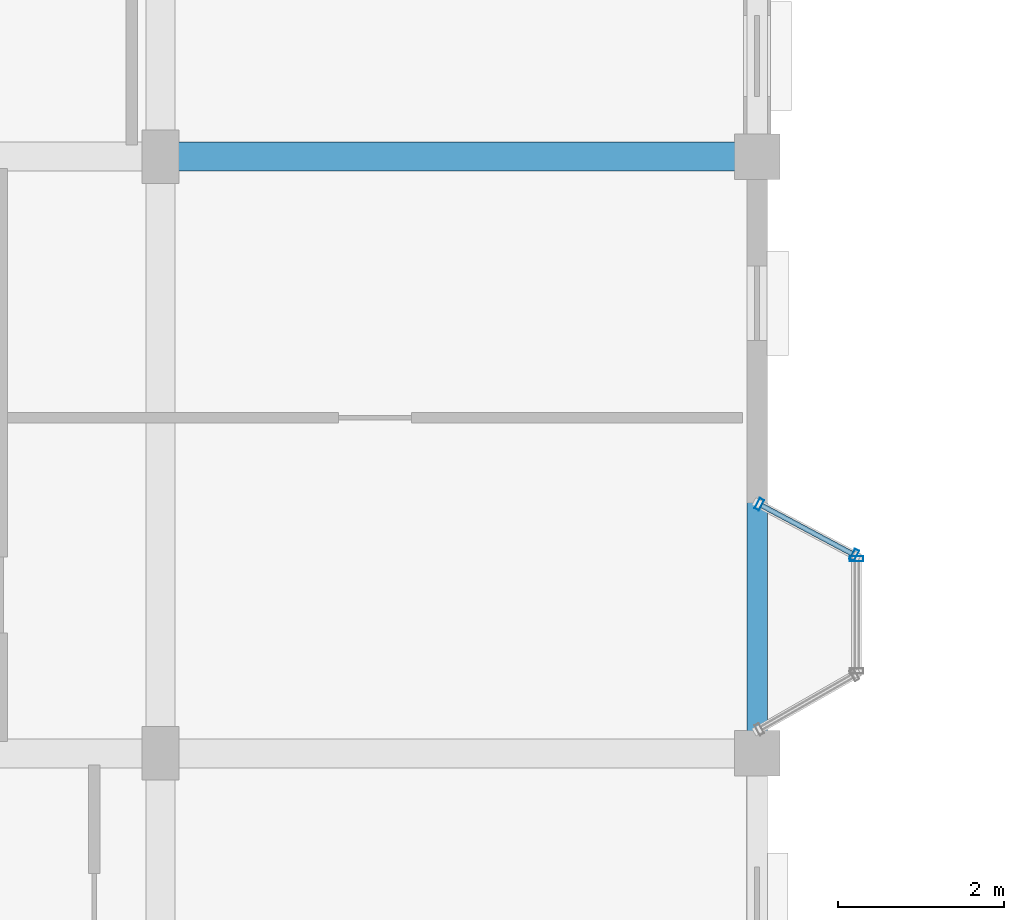
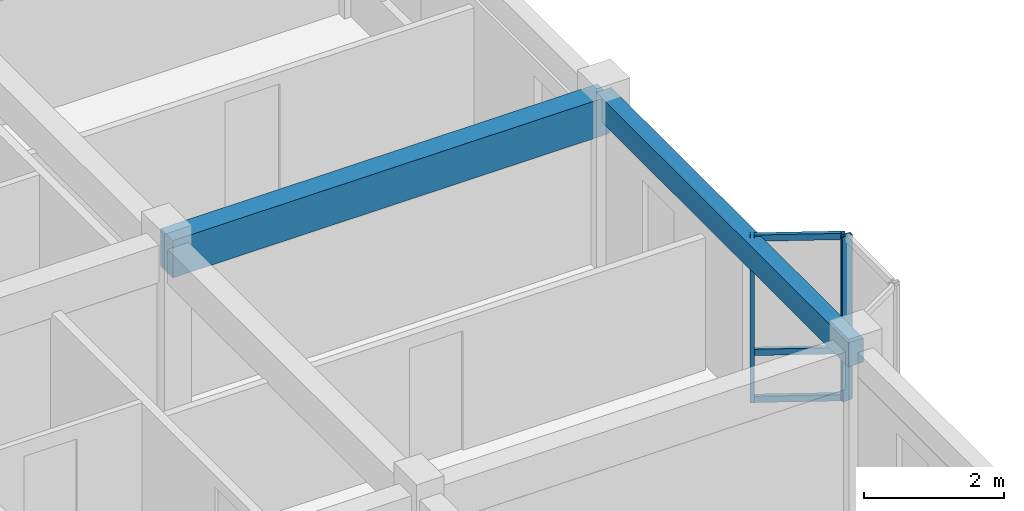
# One storey, part 11 of 79: 6 members, 2 beams, 2 elements without a shape of their own.
"""IFC4 building model written with IfcOpenShell, lengths in metres."""

import ifcopenshell
import ifcopenshell.guid

model = None  # the IFC model being written
_history = None  # IfcOwnerHistory: only IFC2X3 demands one
_inside = {}  # id of a spatial element -> (the spatial element, [elements in it])
_under = {}  # id of a project, library or spatial element -> (it, [spatial elements below it])
_declared = {}  # id of a project -> (the project, [libraries it declares])
_typed = {}  # id of a type object -> (the type object, [elements of that type])
_made_of = {}  # id of a material, layer set ... -> (it, [elements and type objects made of it])


def new_model(schema):
    """Start an empty IFC model of exactly this schema.

    Asked for "IFC4X3", IfcOpenShell would pick the latest addendum, in which some entities
    have other attributes; the version numbers below select the first issue.
    IFC2X3 requires an IfcOwnerHistory on every rooted entity: one is made here for all.
    """
    global model, _history
    if schema == "IFC4X3":
        model = ifcopenshell.file(schema_version=(4, 3, 0, 0))
    else:
        model = ifcopenshell.file(schema=schema)
    _inside.clear()
    _under.clear()
    _declared.clear()
    _typed.clear()
    _made_of.clear()
    _history = None
    if model.schema == "IFC2X3":
        org = make("IfcOrganization", Name="unknown")
        user = make(
            "IfcPersonAndOrganization",
            ThePerson=make("IfcPerson", FamilyName="unknown"),
            TheOrganization=org,
        )
        app = make(
            "IfcApplication",
            ApplicationDeveloper=org,
            Version="unknown",
            ApplicationFullName="unknown",
            ApplicationIdentifier="unknown",
        )
        _history = make(
            "IfcOwnerHistory",
            OwningUser=user,
            OwningApplication=app,
            ChangeAction="ADDED",
            CreationDate=0,
        )
    return model


def make(cls, **values):
    """One entity of the class cls with the attributes given. An attribute that is None is left unset."""
    return model.create_entity(
        cls, **{name: value for name, value in values.items() if value is not None}
    )


def rooted(cls, **values):
    """An entity with a GlobalId (a new one), such as an element, a storey or a relation."""
    return make(cls, GlobalId=ifcopenshell.guid.new(), OwnerHistory=_history, **values)


def si_unit(unit_type, name, prefix=None):
    """IfcSIUnit, for example si_unit("LENGTHUNIT", "METRE", prefix="MILLI")."""
    return make("IfcSIUnit", UnitType=unit_type, Prefix=prefix, Name=name)


def assignment(units):
    """IfcUnitAssignment: the units of a project."""
    return None if units is None else make("IfcUnitAssignment", Units=units)


def point(xyz):
    """IfcCartesianPoint."""
    return None if xyz is None else make("IfcCartesianPoint", Coordinates=xyz)


def direction(xyz):
    """IfcDirection."""
    return None if xyz is None else make("IfcDirection", DirectionRatios=xyz)


def frame(location, z_axis=None, x_axis=None):
    """IfcAxis2Placement3D, a coordinate frame: its origin and axes. An axis left out is left unset."""
    return make(
        "IfcAxis2Placement3D",
        Location=point(location),
        Axis=direction(z_axis),
        RefDirection=direction(x_axis),
    )


def frame_2d(location, x_axis=None):
    """IfcAxis2Placement2D, a coordinate frame in the plane: its origin and x axis."""
    return make(
        "IfcAxis2Placement2D", Location=point(location), RefDirection=direction(x_axis)
    )


def origin():
    """The frame at (0, 0, 0) with its axes left unset."""
    return frame((0.0, 0.0, 0.0))


def origin_2d():
    """The frame at (0, 0) in the plane with its x axis left unset."""
    return frame_2d((0.0, 0.0))


def place(relative_to, where):
    """IfcLocalPlacement: puts the frame where relative to a parent placement (None: the world)."""
    return make(
        "IfcLocalPlacement", PlacementRelTo=relative_to, RelativePlacement=where
    )


def context(
    kind, dimensions, precision=None, world=None, true_north=None, identifier=None
):
    """IfcGeometricRepresentationContext, for example the 3D "Model" context."""
    return make(
        "IfcGeometricRepresentationContext",
        ContextIdentifier=identifier,
        ContextType=kind,
        CoordinateSpaceDimension=dimensions,
        Precision=precision,
        WorldCoordinateSystem=world,
        TrueNorth=true_north,
    )


def subcontext(parent, identifier, kind, view, scale=None):
    """IfcGeometricRepresentationSubContext, for example "Body" below "Model"."""
    return make(
        "IfcGeometricRepresentationSubContext",
        ContextIdentifier=identifier,
        ContextType=kind,
        ParentContext=parent,
        TargetScale=scale,
        TargetView=view,
    )


def project(units=None, contexts=None):
    """IfcProject with its units and contexts."""
    return rooted(
        "IfcProject",
        Name="project",
        RepresentationContexts=contexts,
        UnitsInContext=assignment(units),
    )


def spatial(cls, under=None, at=None, **own):
    """A site, building, storey or space (cls), placed at a placement, below another one or the project."""
    s = rooted(cls, ObjectPlacement=at, **own)
    if under is not None:
        _under.setdefault(under.id(), (under, []))[1].append(s)
    return s


def profile(cls, at=None, kind="AREA", **sizes):
    """A parametric profile (cls). Its sizes go by their IFC names, for example OverallWidth=200.0."""
    return make(cls, ProfileType=kind, Position=at, **sizes)


def rectangle(**sizes):
    """IfcRectangleProfileDef."""
    return profile("IfcRectangleProfileDef", **sizes)


def hollow_rectangle(**sizes):
    """IfcRectangleHollowProfileDef."""
    return profile("IfcRectangleHollowProfileDef", **sizes)


def extrude(swept, where, along, depth):
    """IfcExtrudedAreaSolid: the profile swept, set in the frame where, extruded along a direction by depth."""
    return make(
        "IfcExtrudedAreaSolid",
        SweptArea=swept,
        Position=where,
        ExtrudedDirection=direction(along),
        Depth=depth,
    )


def shape(context_of_items, identifier, shape_type, items):
    """IfcShapeRepresentation: the items that make up one representation, for example the "Body"."""
    return make(
        "IfcShapeRepresentation",
        ContextOfItems=context_of_items,
        RepresentationIdentifier=identifier,
        RepresentationType=shape_type,
        Items=items,
    )


def material(Name=None, Category=None):
    """IfcMaterial."""
    return make("IfcMaterial", Name=Name, Category=Category)


def layer(
    of_material, thickness, ventilated=None, Name=None, Category=None, Priority=None
):
    """IfcMaterialLayer: one layer of a wall or slab, of a material (None: an air gap)."""
    return make(
        "IfcMaterialLayer",
        Material=of_material,
        LayerThickness=thickness,
        IsVentilated=ventilated,
        Name=Name,
        Category=Category,
        Priority=Priority,
    )


def layer_set(layers, Name=None):
    """IfcMaterialLayerSet."""
    return make("IfcMaterialLayerSet", MaterialLayers=layers, LayerSetName=Name)


def material_profile(
    of_material, cross_section, Name=None, Category=None, Priority=None
):
    """IfcMaterialProfile: a cross section and its material."""
    return make(
        "IfcMaterialProfile",
        Name=Name,
        Material=of_material,
        Profile=cross_section,
        Priority=Priority,
        Category=Category,
    )


def profile_set(profiles, Name=None, composite=None):
    """IfcMaterialProfileSet."""
    return make(
        "IfcMaterialProfileSet",
        Name=Name,
        MaterialProfiles=profiles,
        CompositeProfile=composite,
    )


def made_of(thing, what):
    """Note that an element or type object is made of a material, layer set ...; save() writes the relation."""
    if what is not None:
        _made_of.setdefault(what.id(), (what, []))[1].append(thing)
    return thing


def type_object(cls, material=None, **own):
    """A type object (cls), such as IfcWallType, which elements share."""
    return made_of(rooted(cls, **own), material)


def element(
    cls,
    number,
    at=None,
    inside=None,
    cuts=None,
    type_object=None,
    material=None,
    context=None,
    identifier="Body",
    shape_type=None,
    held_by="IfcProductDefinitionShape",
    body=None,
    shapes=None,
    **own,
):
    """One element of the class cls, such as IfcWall. Its Tag is "e" and its number.

    at: its placement. inside: the storey or other place that contains it. cuts: it is an
    opening in that element (IfcRelVoidsElement). A single representation is given by context,
    identifier, shape_type and body (its items); several are given by shapes. held_by: the class
    of the entity that holds the representations. save() writes the other relations.
    """
    e = rooted(cls, Tag="e%d" % number, ObjectPlacement=at, **own)
    if body is not None:
        shapes = [shape(context, identifier, shape_type, body)]
    if shapes is not None:
        e.Representation = make(held_by, Representations=shapes)
    if inside is not None:
        _inside.setdefault(inside.id(), (inside, []))[1].append(e)
    if cuts is not None:
        rooted(
            "IfcRelVoidsElement", RelatingBuildingElement=cuts, RelatedOpeningElement=e
        )
    if type_object is not None:
        _typed.setdefault(type_object.id(), (type_object, []))[1].append(e)
    return made_of(e, material)


def aggregate(whole, parts):
    """IfcRelAggregates: a whole, such as a stair, and the parts it consists of."""
    return rooted("IfcRelAggregates", RelatingObject=whole, RelatedObjects=parts)


def save(model, path):
    """Write the relations noted so far, then the file.

    IfcRelAggregates (storeys below a building ...), IfcRelContainedInSpatialStructure (elements
    in a storey), IfcRelDefinesByType, IfcRelAssociatesMaterial and IfcRelDeclares: one each for
    every whole, place, type object, material and project.
    """
    for whole, parts in _under.values():
        aggregate(whole, parts)
    for where, things in _inside.values():
        rooted(
            "IfcRelContainedInSpatialStructure",
            RelatedElements=things,
            RelatingStructure=where,
        )
    for kind, things in _typed.values():
        rooted("IfcRelDefinesByType", RelatedObjects=things, RelatingType=kind)
    for what, things in _made_of.values():
        rooted("IfcRelAssociatesMaterial", RelatedObjects=things, RelatingMaterial=what)
    for by, libraries in _declared.values():
        rooted("IfcRelDeclares", RelatingContext=by, RelatedDefinitions=libraries)
    model.write(path)


model = new_model("IFC4")

# Units and contexts
model_context = context("Model", 3, precision=1e-05, world=origin(), true_north=direction((0.0, 1.0)))
body_context = subcontext(model_context, "Body", "Model", "MODEL_VIEW")
ifc_project = project(units=[si_unit("LENGTHUNIT", "METRE"), si_unit("AREAUNIT", "SQUARE_METRE"), si_unit("VOLUMEUNIT", "CUBIC_METRE"), si_unit("PLANEANGLEUNIT", "RADIAN"), si_unit("MASSUNIT", "GRAM", prefix="KILO"), si_unit("THERMODYNAMICTEMPERATUREUNIT", "KELVIN"), si_unit("POWERUNIT", "WATT")], contexts=[model_context])

# Site, building, storey
site_placement = place(None, origin())
site = spatial("IfcSite", under=ifc_project, at=site_placement, CompositionType="ELEMENT")
building_placement = place(site_placement, origin())
building = spatial("IfcBuilding", under=site, at=building_placement, Name="Tavuni Mirador Residences", CompositionType="ELEMENT")
storey_placement = place(building_placement, frame((0.0, 0.0, 13.949951171875)))
storey = spatial("IfcBuildingStorey", under=building, at=storey_placement, Name="L04", CompositionType="ELEMENT", Elevation=13.949951171875)

# Beams
ifc_material_1 = material(Name="Precast concrete C40/50", Category="concrete")
ifc_material_profile_1 = material_profile(ifc_material_1, rectangle(XDim=0.35009765625, YDim=0.64990234375, at=origin_2d()), Name="PC 350x650", Category="concrete")
ifc_profile_set_1 = profile_set([ifc_material_profile_1], Name="Precast concrete C40/50")
beam_type_1 = type_object("IfcBeamType", Name="BT-B650", PredefinedType="BEAM", material=ifc_profile_set_1)
beam_1_placement = place(storey_placement, frame((25.199951171875, 28.800048828125, 2.545166015625), z_axis=(1.0, 0.0, 0.0), x_axis=(0.0, 1.0, 0.0)))
element("IfcBeam", 1, at=beam_1_placement, inside=storey, type_object=beam_type_1, Name="BMX-BLK-A-L04-03-03", PredefinedType="BEAM", context=body_context, shape_type="SweptSolid", body=[
    extrude(rectangle(XDim=0.35009765625, YDim=0.64990234375, at=origin_2d()), origin(), (0.0, 0.0, 1.0), 7.199951171875),
])
ifc_material_profile_2 = material_profile(ifc_material_1, rectangle(XDim=0.25, YDim=0.419921875, at=origin_2d()), Name="PC 250x420", Category="concrete")
ifc_profile_set_2 = profile_set([ifc_material_profile_2], Name="Precast concrete C40/50")
beam_type_2 = type_object("IfcBeamType", Name="BT-SP420", PredefinedType="SPANDREL", material=ifc_profile_set_2)
beam_2_placement = place(storey_placement, frame((32.39990234375, 21.60009765625, 2.66015625), z_axis=(0.0, 1.0, 0.0), x_axis=(-1.0, 0.0, 0.0)))
element("IfcBeam", 2, at=beam_2_placement, inside=storey, type_object=beam_type_2, Name="BMY-BLK-A-L04-04-02", PredefinedType="SPANDREL", context=body_context, shape_type="SweptSolid", body=[
    extrude(rectangle(XDim=0.25, YDim=0.419921875, at=origin_2d()), origin(), (0.0, 0.0, 1.0), 7.199951171875),
])

# Curtain wall, members
ifc_material_2 = material(Name="Anodised aluminium", Category="aluminium")
ifc_layer_1 = layer(ifc_material_2, 0.175048828125, Name="Anodised aluminium", Category="aluminium")
ifc_layer_set_1 = layer_set([ifc_layer_1], Name="Anodised aluminium")
curtain_wall_type_1 = type_object("IfcCurtainWallType", Name="CWT-MIR-C", PredefinedType="NOTDEFINED", material=ifc_layer_set_1)
curtain_wall_1_placement = place(storey_placement, origin())
curtain_wall_1 = element("IfcCurtainWall", 3, at=curtain_wall_1_placement, inside=storey, type_object=curtain_wall_type_1, Name="CW-MIR-A-E2-L04-M2", PredefinedType="NOTDEFINED")
ifc_material_profile_3 = material_profile(ifc_material_2, hollow_rectangle(XDim=0.06005859375, YDim=0.139892578125, WallThickness=0.00390625, at=origin_2d()), Name="ALU 60x140x4.0", Category="aluminium")
ifc_profile_set_3 = profile_set([ifc_material_profile_3], Name="Anodised aluminium")
member_type_1 = type_object("IfcMemberType", Name="CWM-140", PredefinedType="MULLION", material=ifc_profile_set_3)
member_1_placement = place(storey_placement, frame((33.573486328125, 23.994140625, 0.0), z_axis=(0.0, 0.0, 1.0), x_axis=(-0.882352941175, 0.470588235296, 0.0)))
member_1 = element("IfcMember", 4, at=member_1_placement, type_object=member_type_1, Name="CW-03 mullion 1", PredefinedType="MULLION", context=body_context, shape_type="SweptSolid", body=[
    extrude(hollow_rectangle(XDim=0.06005859375, YDim=0.139892578125, WallThickness=0.00390625, at=origin_2d()), origin(), (0.0, 0.0, 1.0), 2.8701171875),
])
member_2_placement = place(storey_placement, frame((32.426513671875, 24.60595703125, 0.0), z_axis=(0.0, 0.0, 1.0), x_axis=(-0.882352941175, 0.470588235296, 0.0)))
member_2 = element("IfcMember", 5, at=member_2_placement, type_object=member_type_1, Name="CW-03 mullion 2", PredefinedType="MULLION", context=body_context, shape_type="SweptSolid", body=[
    extrude(hollow_rectangle(XDim=0.06005859375, YDim=0.139892578125, WallThickness=0.00390625, at=origin_2d()), origin(), (0.0, 0.0, 1.0), 2.8701171875),
])

# Curtain wall, member
ifc_layer_2 = layer(ifc_material_2, 0.14990234375, Name="Anodised aluminium", Category="aluminium")
ifc_layer_set_2 = layer_set([ifc_layer_2], Name="Anodised aluminium")
curtain_wall_type_2 = type_object("IfcCurtainWallType", Name="CWT-MIR-B", PredefinedType="NOTDEFINED", material=ifc_layer_set_2)
curtain_wall_2_placement = place(storey_placement, origin())
curtain_wall_2 = element("IfcCurtainWall", 6, at=curtain_wall_2_placement, inside=storey, type_object=curtain_wall_type_2, Name="CW-MIR-A-E2-L04-MF", PredefinedType="NOTDEFINED")
ifc_material_profile_4 = material_profile(ifc_material_2, hollow_rectangle(XDim=0.06494140625, YDim=0.1650390625, WallThickness=0.00439453125, at=origin_2d()), Name="ALU 65x165x4.5", Category="aluminium")
ifc_profile_set_4 = profile_set([ifc_material_profile_4], Name="Anodised aluminium")
member_type_2 = type_object("IfcMemberType", Name="CWM-165", PredefinedType="MULLION", material=ifc_profile_set_4)
member_3_placement = place(storey_placement, frame((33.60009765625, 23.947509765625, 0.0), z_axis=(0.0, 0.0, 1.0), x_axis=(0.0, 1.0, 0.0)))
member_3 = element("IfcMember", 7, at=member_3_placement, type_object=member_type_2, Name="CW-02 mullion 2", PredefinedType="MULLION", context=body_context, shape_type="SweptSolid", body=[
    extrude(hollow_rectangle(XDim=0.06494140625, YDim=0.1650390625, WallThickness=0.00439453125, at=origin_2d()), origin(), (0.0, 0.0, 1.0), 2.8701171875),
])
aggregate(curtain_wall_2, [member_3])

# Member
ifc_material_profile_5 = material_profile(ifc_material_2, hollow_rectangle(XDim=0.06005859375, YDim=0.110107421875, WallThickness=0.00390625, at=origin_2d()), Name="ALU 60x110x4.0", Category="aluminium")
ifc_profile_set_5 = profile_set([ifc_material_profile_5], Name="Anodised aluminium")
member_type_3 = type_object("IfcMemberType", Name="CWT-110", PredefinedType="USERDEFINED", material=ifc_profile_set_5)
member_4_placement = place(storey_placement, frame((33.547119140625, 24.00830078125, 0.030029296875), z_axis=(-0.882385637708, 0.470526924168, 0.0), x_axis=(-0.470526924168, -0.882385637708, 0.0)))
member_4 = element("IfcMember", 8, at=member_4_placement, type_object=member_type_3, Name="CW-03 transom 1.1", ObjectType="TRANSOM", PredefinedType="USERDEFINED", context=body_context, shape_type="SweptSolid", body=[
    extrude(hollow_rectangle(XDim=0.06005859375, YDim=0.110107421875, WallThickness=0.00390625, at=origin_2d()), origin(), (0.0, 0.0, 1.0), 1.239990234375),
])

member_5_placement = place(storey_placement, frame((33.547119140625, 24.00830078125, 0.85009765625), z_axis=(-0.882385637708, 0.470526924168, 0.0), x_axis=(-0.470526924168, -0.882385637708, 0.0)))
member_5 = element("IfcMember", 9, at=member_5_placement, type_object=member_type_3, Name="CW-03 transom 1.2", ObjectType="TRANSOM", PredefinedType="USERDEFINED", context=body_context, shape_type="SweptSolid", body=[
    extrude(hollow_rectangle(XDim=0.06005859375, YDim=0.110107421875, WallThickness=0.00390625, at=origin_2d()), origin(), (0.0, 0.0, 1.0), 1.239990234375),
])

member_6_placement = place(storey_placement, frame((33.547119140625, 24.00830078125, 2.840087890625), z_axis=(-0.882385637708, 0.470526924168, 0.0), x_axis=(-0.470526924168, -0.882385637708, 0.0)))
member_6 = element("IfcMember", 10, at=member_6_placement, type_object=member_type_3, Name="CW-03 transom 1.3", ObjectType="TRANSOM", PredefinedType="USERDEFINED", context=body_context, shape_type="SweptSolid", body=[
    extrude(hollow_rectangle(XDim=0.06005859375, YDim=0.110107421875, WallThickness=0.00390625, at=origin_2d()), origin(), (0.0, 0.0, 1.0), 1.239990234375),
])

aggregate(curtain_wall_1, [member_1, member_2, member_4, member_5, member_6])

save(model, "model.ifc")
